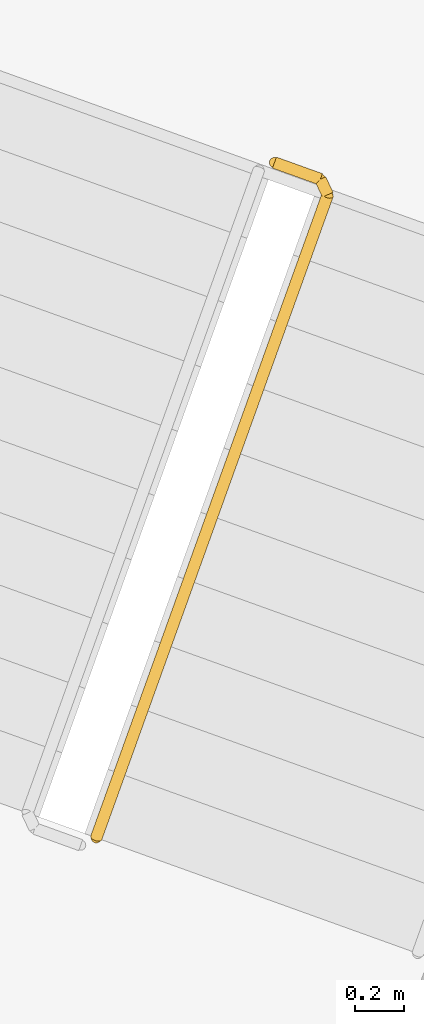
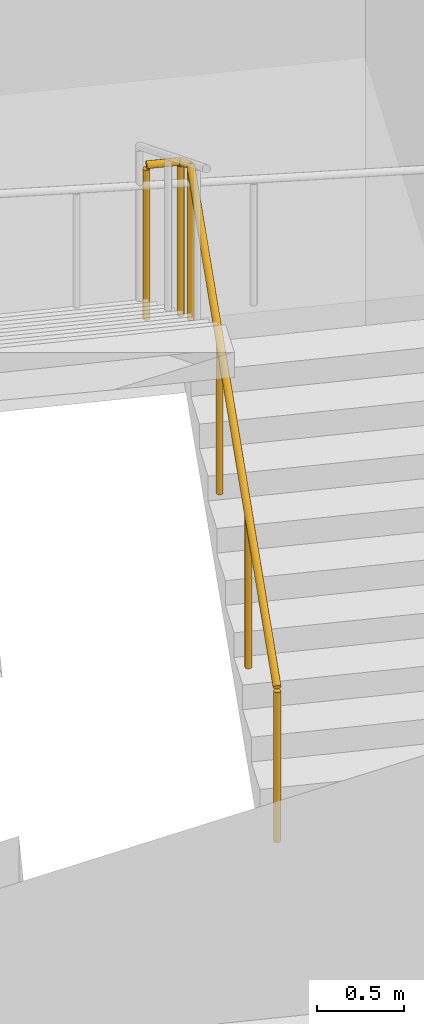
# One storey, part 19 of 19: 1 railing.
"""IFC4 building model written with IfcOpenShell, lengths in metres."""

import ifcopenshell
import ifcopenshell.guid

model = None  # the IFC model being written
_history = None  # IfcOwnerHistory: only IFC2X3 demands one
_inside = {}  # id of a spatial element -> (the spatial element, [elements in it])
_under = {}  # id of a project, library or spatial element -> (it, [spatial elements below it])
_declared = {}  # id of a project -> (the project, [libraries it declares])
_typed = {}  # id of a type object -> (the type object, [elements of that type])
_made_of = {}  # id of a material, layer set ... -> (it, [elements and type objects made of it])


def new_model(schema):
    """Start an empty IFC model of exactly this schema.

    Asked for "IFC4X3", IfcOpenShell would pick the latest addendum, in which some entities
    have other attributes; the version numbers below select the first issue.
    IFC2X3 requires an IfcOwnerHistory on every rooted entity: one is made here for all.
    """
    global model, _history
    if schema == "IFC4X3":
        model = ifcopenshell.file(schema_version=(4, 3, 0, 0))
    else:
        model = ifcopenshell.file(schema=schema)
    _inside.clear()
    _under.clear()
    _declared.clear()
    _typed.clear()
    _made_of.clear()
    _history = None
    if model.schema == "IFC2X3":
        org = make("IfcOrganization", Name="unknown")
        user = make(
            "IfcPersonAndOrganization",
            ThePerson=make("IfcPerson", FamilyName="unknown"),
            TheOrganization=org,
        )
        app = make(
            "IfcApplication",
            ApplicationDeveloper=org,
            Version="unknown",
            ApplicationFullName="unknown",
            ApplicationIdentifier="unknown",
        )
        _history = make(
            "IfcOwnerHistory",
            OwningUser=user,
            OwningApplication=app,
            ChangeAction="ADDED",
            CreationDate=0,
        )
    return model


def make(cls, **values):
    """One entity of the class cls with the attributes given. An attribute that is None is left unset."""
    return model.create_entity(
        cls, **{name: value for name, value in values.items() if value is not None}
    )


def rooted(cls, **values):
    """An entity with a GlobalId (a new one), such as an element, a storey or a relation."""
    return make(cls, GlobalId=ifcopenshell.guid.new(), OwnerHistory=_history, **values)


def si_unit(unit_type, name, prefix=None):
    """IfcSIUnit, for example si_unit("LENGTHUNIT", "METRE", prefix="MILLI")."""
    return make("IfcSIUnit", UnitType=unit_type, Prefix=prefix, Name=name)


def assignment(units):
    """IfcUnitAssignment: the units of a project."""
    return None if units is None else make("IfcUnitAssignment", Units=units)


def point(xyz):
    """IfcCartesianPoint."""
    return None if xyz is None else make("IfcCartesianPoint", Coordinates=xyz)


def direction(xyz):
    """IfcDirection."""
    return None if xyz is None else make("IfcDirection", DirectionRatios=xyz)


def frame(location, z_axis=None, x_axis=None):
    """IfcAxis2Placement3D, a coordinate frame: its origin and axes. An axis left out is left unset."""
    return make(
        "IfcAxis2Placement3D",
        Location=point(location),
        Axis=direction(z_axis),
        RefDirection=direction(x_axis),
    )


def frame_2d(location, x_axis=None):
    """IfcAxis2Placement2D, a coordinate frame in the plane: its origin and x axis."""
    return make(
        "IfcAxis2Placement2D", Location=point(location), RefDirection=direction(x_axis)
    )


def origin():
    """The frame at (0, 0, 0) with its axes left unset."""
    return frame((0.0, 0.0, 0.0))


def origin_2d():
    """The frame at (0, 0) in the plane with its x axis left unset."""
    return frame_2d((0.0, 0.0))


def place(relative_to, where):
    """IfcLocalPlacement: puts the frame where relative to a parent placement (None: the world)."""
    return make(
        "IfcLocalPlacement", PlacementRelTo=relative_to, RelativePlacement=where
    )


def context(
    kind, dimensions, precision=None, world=None, true_north=None, identifier=None
):
    """IfcGeometricRepresentationContext, for example the 3D "Model" context."""
    return make(
        "IfcGeometricRepresentationContext",
        ContextIdentifier=identifier,
        ContextType=kind,
        CoordinateSpaceDimension=dimensions,
        Precision=precision,
        WorldCoordinateSystem=world,
        TrueNorth=true_north,
    )


def subcontext(parent, identifier, kind, view, scale=None):
    """IfcGeometricRepresentationSubContext, for example "Body" below "Model"."""
    return make(
        "IfcGeometricRepresentationSubContext",
        ContextIdentifier=identifier,
        ContextType=kind,
        ParentContext=parent,
        TargetScale=scale,
        TargetView=view,
    )


def project(units=None, contexts=None):
    """IfcProject with its units and contexts."""
    return rooted(
        "IfcProject",
        Name="project",
        RepresentationContexts=contexts,
        UnitsInContext=assignment(units),
    )


def spatial(cls, under=None, at=None, **own):
    """A site, building, storey or space (cls), placed at a placement, below another one or the project."""
    s = rooted(cls, ObjectPlacement=at, **own)
    if under is not None:
        _under.setdefault(under.id(), (under, []))[1].append(s)
    return s


def profile(cls, at=None, kind="AREA", **sizes):
    """A parametric profile (cls). Its sizes go by their IFC names, for example OverallWidth=200.0."""
    return make(cls, ProfileType=kind, Position=at, **sizes)


def circle(**sizes):
    """IfcCircleProfileDef."""
    return profile("IfcCircleProfileDef", **sizes)


def extrude(swept, where, along, depth):
    """IfcExtrudedAreaSolid: the profile swept, set in the frame where, extruded along a direction by depth."""
    return make(
        "IfcExtrudedAreaSolid",
        SweptArea=swept,
        Position=where,
        ExtrudedDirection=direction(along),
        Depth=depth,
    )


def shape(context_of_items, identifier, shape_type, items):
    """IfcShapeRepresentation: the items that make up one representation, for example the "Body"."""
    return make(
        "IfcShapeRepresentation",
        ContextOfItems=context_of_items,
        RepresentationIdentifier=identifier,
        RepresentationType=shape_type,
        Items=items,
    )


def material(Name=None, Category=None):
    """IfcMaterial."""
    return make("IfcMaterial", Name=Name, Category=Category)


def made_of(thing, what):
    """Note that an element or type object is made of a material, layer set ...; save() writes the relation."""
    if what is not None:
        _made_of.setdefault(what.id(), (what, []))[1].append(thing)
    return thing


def type_object(cls, material=None, **own):
    """A type object (cls), such as IfcWallType, which elements share."""
    return made_of(rooted(cls, **own), material)


def element(
    cls,
    number,
    at=None,
    inside=None,
    cuts=None,
    type_object=None,
    material=None,
    context=None,
    identifier="Body",
    shape_type=None,
    held_by="IfcProductDefinitionShape",
    body=None,
    shapes=None,
    **own,
):
    """One element of the class cls, such as IfcWall. Its Tag is "e" and its number.

    at: its placement. inside: the storey or other place that contains it. cuts: it is an
    opening in that element (IfcRelVoidsElement). A single representation is given by context,
    identifier, shape_type and body (its items); several are given by shapes. held_by: the class
    of the entity that holds the representations. save() writes the other relations.
    """
    e = rooted(cls, Tag="e%d" % number, ObjectPlacement=at, **own)
    if body is not None:
        shapes = [shape(context, identifier, shape_type, body)]
    if shapes is not None:
        e.Representation = make(held_by, Representations=shapes)
    if inside is not None:
        _inside.setdefault(inside.id(), (inside, []))[1].append(e)
    if cuts is not None:
        rooted(
            "IfcRelVoidsElement", RelatingBuildingElement=cuts, RelatedOpeningElement=e
        )
    if type_object is not None:
        _typed.setdefault(type_object.id(), (type_object, []))[1].append(e)
    return made_of(e, material)


def aggregate(whole, parts):
    """IfcRelAggregates: a whole, such as a stair, and the parts it consists of."""
    return rooted("IfcRelAggregates", RelatingObject=whole, RelatedObjects=parts)


def save(model, path):
    """Write the relations noted so far, then the file.

    IfcRelAggregates (storeys below a building ...), IfcRelContainedInSpatialStructure (elements
    in a storey), IfcRelDefinesByType, IfcRelAssociatesMaterial and IfcRelDeclares: one each for
    every whole, place, type object, material and project.
    """
    for whole, parts in _under.values():
        aggregate(whole, parts)
    for where, things in _inside.values():
        rooted(
            "IfcRelContainedInSpatialStructure",
            RelatedElements=things,
            RelatingStructure=where,
        )
    for kind, things in _typed.values():
        rooted("IfcRelDefinesByType", RelatedObjects=things, RelatingType=kind)
    for what, things in _made_of.values():
        rooted("IfcRelAssociatesMaterial", RelatedObjects=things, RelatingMaterial=what)
    for by, libraries in _declared.values():
        rooted("IfcRelDeclares", RelatingContext=by, RelatedDefinitions=libraries)
    model.write(path)


model = new_model("IFC4")

# Units and contexts
model_context = context("Model", 3, precision=1e-05, world=origin(), true_north=direction((0.0, 1.0)))
body_context = subcontext(model_context, "Body", "Model", "MODEL_VIEW")
ifc_project = project(units=[si_unit("LENGTHUNIT", "METRE"), si_unit("AREAUNIT", "SQUARE_METRE"), si_unit("VOLUMEUNIT", "CUBIC_METRE"), si_unit("PLANEANGLEUNIT", "RADIAN"), si_unit("MASSUNIT", "GRAM", prefix="KILO")], contexts=[model_context])

# Site, building, storey
site_placement = place(None, origin())
site = spatial("IfcSite", under=ifc_project, at=site_placement, CompositionType="ELEMENT")
building_placement = place(site_placement, origin())
building = spatial("IfcBuilding", under=site, at=building_placement, Name="Stone Belt Terrace Tower", CompositionType="ELEMENT")
storey_placement = place(building_placement, frame((0.0, 0.0, 246.60009765625)))
storey = spatial("IfcBuildingStorey", under=building, at=storey_placement, Name="L60", CompositionType="ELEMENT", Elevation=246.60009765625)

# Railing
ifc_material = material(Name="Structural steel C345", Category="steel")
railing_type = type_object("IfcRailingType", Name="Stair guard 1100", PredefinedType="GUARDRAIL", material=ifc_material)
railing_placement = place(storey_placement, frame((24.494140625, 45.174560546875, 0.172607421875)))
element("IfcRailing", 1, at=railing_placement, inside=storey, type_object=railing_type, Name="L60 ST1B stair guard 1", PredefinedType="GUARDRAIL", context=body_context, shape_type="SweptSolid", body=[
    extrude(circle(Radius=0.02392578125, at=origin_2d()), frame((0.0, 0.0, 1.076171875), z_axis=(0.288228637646, 0.800791768495, 0.525030280985), x_axis=(-0.940908529223, 0.338660803216, 0.0)), (0.0, 0.0, 1.0), 3.289794921875),
    extrude(circle(Radius=0.02392578125, at=origin_2d()), frame((0.9482421875, 2.634521484375, 2.80322265625), z_axis=(-0.424964916, 0.905209821074, 0.0), x_axis=(-0.905209821074, -0.424964916, 0.0)), (0.0, 0.0, 1.0), 0.070556640625),
    extrude(circle(Radius=0.02392578125, at=origin_2d()), frame((0.918212890625, 2.698486328125, 2.80322265625), z_axis=(-0.941105063269, 0.338114270461, 0.0), x_axis=(-0.338114270461, -0.941105063269, 0.0)), (0.0, 0.0, 1.0), 0.199951171875),
    extrude(circle(Radius=0.02099609375, at=origin_2d()), origin(), (0.0, 0.0, 1.0), 1.052001953125),
    extrude(circle(Radius=0.02099609375, at=origin_2d()), frame((0.316162109375, 0.878173828125, 0.57568359375)), (0.0, 0.0, 1.0), 1.052001953125),
    extrude(circle(Radius=0.02099609375, at=origin_2d()), frame((0.632080078125, 1.75634765625, 1.151611328125)), (0.0, 0.0, 1.0), 1.052001953125),
    extrude(circle(Radius=0.02099609375, at=origin_2d()), frame((0.9482421875, 2.634521484375, 1.727294921875)), (0.0, 0.0, 1.0), 1.052001953125),
    extrude(circle(Radius=0.02099609375, at=origin_2d()), frame((0.918212890625, 2.698486328125, 1.727294921875)), (0.0, 0.0, 1.0), 1.052001953125),
    extrude(circle(Radius=0.02099609375, at=origin_2d()), frame((0.72998046875, 2.76611328125, 1.727294921875)), (0.0, 0.0, 1.0), 1.052001953125),
])

save(model, "model.ifc")
